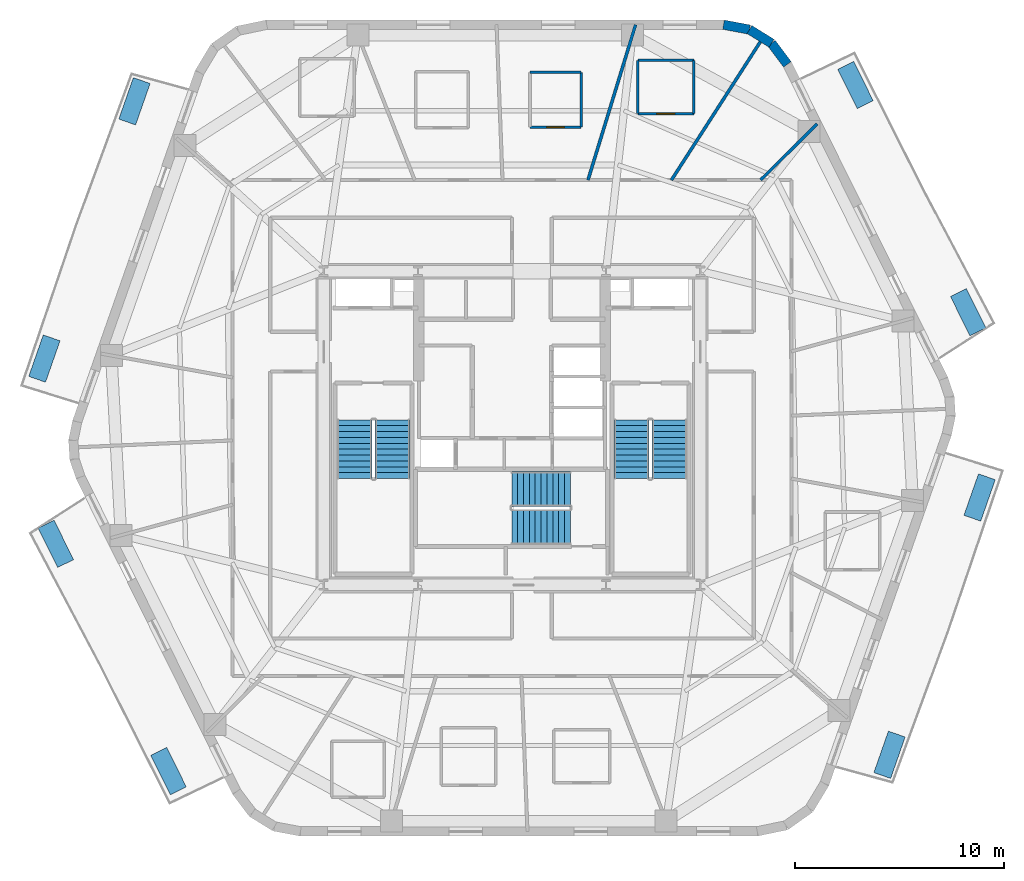
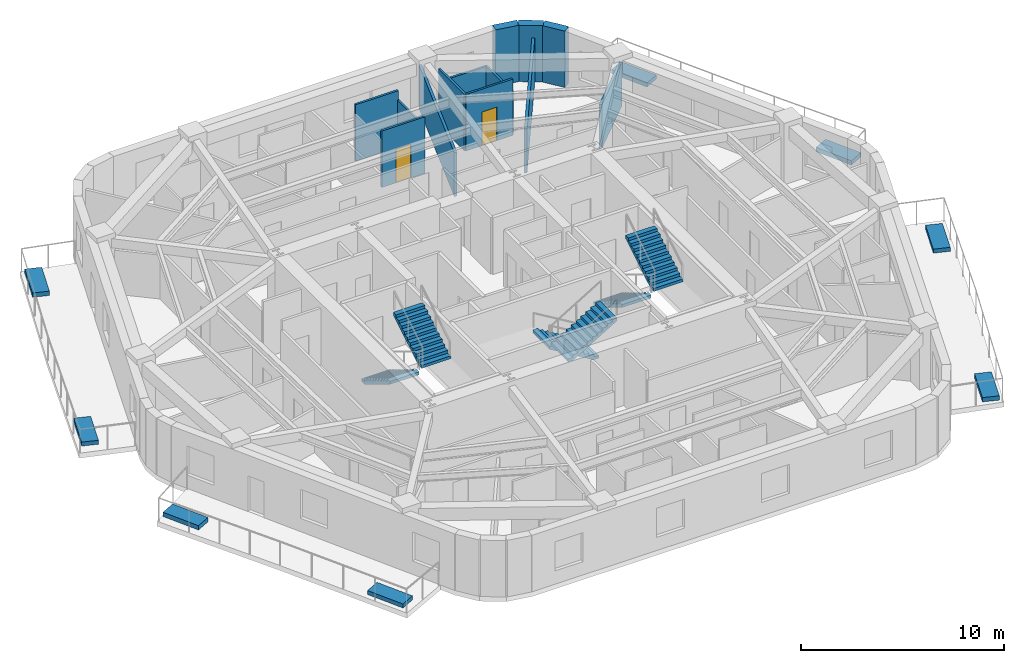
# One storey, part 7 of 10: 13 walls, 8 discrete accessories, 6 stair flights, 2 doors, 2 openings, 3 elements without a shape of their own.
"""IFC4 building model written with IfcOpenShell, lengths in metres."""

from ifc_helpers import new_model, si_unit, direction, frame, frame_2d, origin, origin_2d, place, context, subcontext, project, spatial, polyline, rectangle, outline, extrude, material, layer, layer_set, type_object, element, fill, aggregate, save


model = new_model("IFC4")

# Units and contexts
model_context = context("Model", 3, precision=1e-05, world=origin(), true_north=direction((0.0, 1.0)))
body_context = subcontext(model_context, "Body", "Model", "MODEL_VIEW")
ifc_project = project(units=[si_unit("LENGTHUNIT", "METRE"), si_unit("AREAUNIT", "SQUARE_METRE"), si_unit("VOLUMEUNIT", "CUBIC_METRE"), si_unit("PLANEANGLEUNIT", "RADIAN"), si_unit("MASSUNIT", "GRAM", prefix="KILO")], contexts=[model_context])

# Site, building, storey
site_placement = place(None, origin())
site = spatial("IfcSite", under=ifc_project, at=site_placement, CompositionType="ELEMENT")
building_placement = place(site_placement, origin())
building = spatial("IfcBuilding", under=site, at=building_placement, Name="Kilnhurst Terrace Hotel", CompositionType="ELEMENT")
storey_placement = place(building_placement, frame((0.0, 0.0, 175.60009765625)))
storey = spatial("IfcBuildingStorey", under=building, at=storey_placement, Name="L43", CompositionType="ELEMENT", Elevation=175.60009765625)

# Walls
ifc_material_1 = material(Name="Precast concrete C40/50", Category="concrete")
ifc_layer_1 = layer(ifc_material_1, 0.449951171875, Name="Precast concrete C40/50")
ifc_layer_set_1 = layer_set([ifc_layer_1], Name="Precast concrete C40/50")
wall_type_1 = type_object("IfcWallType", Name="WL-BRK-450", PredefinedType="SOLIDWALL", material=ifc_layer_set_1)
wall_1_placement = place(storey_placement, frame((13.162353515625, 17.380615234375, 0.0), z_axis=(0.0, 0.0, 1.0), x_axis=(-0.601515770517, 0.798860925205, 0.0)))
element("IfcWall", 1, at=wall_1_placement, inside=storey, type_object=wall_type_1, Name="L43 Rounded Corner Brick Wall C4.1", PredefinedType="SOLIDWALL", context=body_context, shape_type="SweptSolid", body=[
    extrude(rectangle(XDim=1.261962890625, YDim=0.449951171875, at=frame_2d((0.630859375, 0.0))), origin(), (0.0, 0.0, 1.0), 3.39990234375),
])
wall_2_placement = place(storey_placement, frame((12.4033203125, 18.388671875, 0.0), z_axis=(0.0, 0.0, 1.0), x_axis=(-0.849795170926, 0.527113049991, 0.0)))
element("IfcWall", 2, at=wall_2_placement, inside=storey, type_object=wall_type_1, Name="L43 Rounded Corner Brick Wall C4.2", PredefinedType="SOLIDWALL", context=body_context, shape_type="SweptSolid", body=[
    extrude(rectangle(XDim=1.24072265625, YDim=0.449951171875, at=frame_2d((0.620361328125, 0.0))), origin(), (0.0, 0.0, 1.0), 3.39990234375),
])
wall_3_placement = place(storey_placement, frame((11.348876953125, 19.042724609375, 0.0), z_axis=(0.0, 0.0, 1.0), x_axis=(-0.982931267051, 0.183973161772, 0.0)))
element("IfcWall", 3, at=wall_3_placement, inside=storey, type_object=wall_type_1, Name="L43 Rounded Corner Brick Wall C4.3", PredefinedType="SOLIDWALL", context=body_context, shape_type="SweptSolid", body=[
    extrude(rectangle(XDim=1.261962890625, YDim=0.449951171875, at=frame_2d((0.630859375, 0.0))), origin(), (0.0, 0.0, 1.0), 3.39990234375),
])
ifc_material_2 = material(Name="STC-58 Acoustic Twin-Frame Guestroom Demising Partition")
ifc_layer_2 = layer(ifc_material_2, 0.14990234375, Name="STC-58 Acoustic Twin-Frame Guestroom Demising Partition")
ifc_layer_set_2 = layer_set([ifc_layer_2], Name="STC-58 Acoustic Twin-Frame Guestroom Demising Partition")
wall_type_2 = type_object("IfcWallType", Name="WL-DEM-150", PredefinedType="PARTITIONING", material=ifc_layer_set_2)
wall_4_placement = place(storey_placement, frame((11.8818359375, 11.85009765625, 0.0), z_axis=(0.0, 0.0, 1.0), x_axis=(0.708037373639, 0.706174962407, 0.0)))
element("IfcWall", 4, at=wall_4_placement, inside=storey, type_object=wall_type_2, Name="L43 Interior Wall WL-L43-DEM-COL02-03-1", PredefinedType="PARTITIONING", context=body_context, shape_type="SweptSolid", body=[
    extrude(rectangle(XDim=3.801513671875, YDim=0.14990234375, at=frame_2d((1.90087890625, 0.0))), origin(), (0.0, 0.0, 1.0), 2.639892578125),
])
wall_5_placement = place(storey_placement, frame((7.619140625, 11.85009765625, 0.0), z_axis=(0.0, 0.0, 1.0), x_axis=(0.540829263478, 0.841132396098, 0.0)))
element("IfcWall", 5, at=wall_5_placement, inside=storey, type_object=wall_type_2, Name="L43 Interior Wall WL-L43-DEM-MID02-04-1", PredefinedType="PARTITIONING", context=body_context, shape_type="SweptSolid", body=[
    extrude(rectangle(XDim=7.919189453125, YDim=0.14990234375, at=frame_2d((3.95947265625, 0.0))), origin(), (0.0, 0.0, 1.0), 2.639892578125),
])
wall_6_placement = place(storey_placement, frame((3.63134765625, 11.85009765625, 0.0), z_axis=(0.0, 0.0, 1.0), x_axis=(0.293007573338, 0.956110120209, 0.0)))
element("IfcWall", 6, at=wall_6_placement, inside=storey, type_object=wall_type_2, Name="L43 Interior Wall WL-L43-DEM-COL03-05-1", PredefinedType="PARTITIONING", context=body_context, shape_type="SweptSolid", body=[
    extrude(rectangle(XDim=7.765625, YDim=0.14990234375, at=frame_2d((3.8828125, 0.0))), origin(), (0.0, 0.0, 1.0), 2.639892578125),
])

# Wall, opening, door
ifc_material_3 = material(Name="120 mm Moisture-Resistant Tile-Backed Bathroom Partition")
ifc_layer_3 = layer(ifc_material_3, 0.1201171875, Name="120 mm Moisture-Resistant Tile-Backed Bathroom Partition")
ifc_layer_set_3 = layer_set([ifc_layer_3], Name="120 mm Moisture-Resistant Tile-Backed Bathroom Partition")
wall_type_3 = type_object("IfcWallType", Name="WL-PART-120", PredefinedType="PARTITIONING", material=ifc_layer_set_3)
wall_7_placement = place(storey_placement, frame((6.013916015625, 15.029052734375, 0.0), z_axis=(0.0, 0.0, 1.0), x_axis=(1.0, 0.0, 0.0)))
wall_7 = element("IfcWall", 7, at=wall_7_placement, inside=storey, type_object=wall_type_3, Name="L43 Interior Wall WL-L43-BTH-04-1", PredefinedType="PARTITIONING", context=body_context, shape_type="SweptSolid", body=[
    extrude(rectangle(XDim=2.68017578125, YDim=0.1201171875, at=frame_2d((1.340087890625, 0.0))), origin(), (0.0, 0.0, 1.0), 3.39990234375),
])
opening_1_placement = place(wall_7_placement, frame((0.9150390625, 0.0, 0.0)))
opening_1 = element("IfcOpeningElement", 8, at=opening_1_placement, cuts=wall_7, Name="Opening D-08A", PredefinedType="OPENING", context=body_context, shape_type="SweptSolid", body=[
    extrude(rectangle(XDim=0.85009765625, YDim=2.030029296875, at=frame_2d((0.425048828125, 1.01513671875))), frame((0.0, 0.070068359375, 0.0), z_axis=(0.0, -1.0, 0.0), x_axis=(1.0, 0.0, 0.0)), (0.0, 0.0, 1.0), 0.14013671875),
])
ifc_material_4 = material(Name="Moisture-Resistant Lacquered En-suite Bathroom Door")
door_type = type_object("IfcDoorType", Name="DR-INT-850", OperationType="NOTDEFINED", PredefinedType="DOOR", material=ifc_material_4)
door_1_placement = place(opening_1_placement, origin())
door_1 = element("IfcDoor", 9, at=door_1_placement, inside=storey, type_object=door_type, Name="L43 En-suite Bathroom Door 4", OperationType="SINGLE_SWING_LEFT", OverallHeight=2.030029296875, OverallWidth=0.85009765625, PredefinedType="DOOR", context=body_context, shape_type="SweptSolid", body=[
    extrude(rectangle(XDim=0.85009765625, YDim=2.030029296875, at=frame_2d((0.425048828125, 1.01513671875))), frame((0.0, 0.02490234375, 0.0), z_axis=(0.0, -1.0, 0.0), x_axis=(1.0, 0.0, 0.0)), (0.0, 0.0, 1.0), 0.050048828125),
])
fill(opening_1, door_1)

# Walls
wall_8_placement = place(storey_placement, frame((8.694091796875, 15.029052734375, 0.0), z_axis=(0.0, 0.0, 1.0), x_axis=(0.0, 1.0, 0.0)))
element("IfcWall", 10, at=wall_8_placement, inside=storey, type_object=wall_type_3, Name="L43 Interior Wall WL-L43-BTH-04-2", PredefinedType="PARTITIONING", context=body_context, shape_type="SweptSolid", body=[
    extrude(rectangle(XDim=2.5400390625, YDim=0.1201171875, at=frame_2d((1.27001953125, 0.0))), origin(), (0.0, 0.0, 1.0), 2.639892578125),
])
wall_9_placement = place(storey_placement, frame((8.694091796875, 17.569091796875, 0.0), z_axis=(0.0, 0.0, 1.0), x_axis=(-1.0, 0.0, 0.0)))
element("IfcWall", 11, at=wall_9_placement, inside=storey, type_object=wall_type_3, Name="L43 Interior Wall WL-L43-BTH-04-3", PredefinedType="PARTITIONING", context=body_context, shape_type="SweptSolid", body=[
    extrude(rectangle(XDim=2.68017578125, YDim=0.1201171875, at=frame_2d((1.340087890625, 0.0))), origin(), (0.0, 0.0, 1.0), 2.639892578125),
])
wall_10_placement = place(storey_placement, frame((6.013916015625, 17.569091796875, 0.0), z_axis=(0.0, 0.0, 1.0), x_axis=(0.0, -1.0, 0.0)))
element("IfcWall", 12, at=wall_10_placement, inside=storey, type_object=wall_type_3, Name="L43 Interior Wall WL-L43-BTH-04-4", PredefinedType="PARTITIONING", context=body_context, shape_type="SweptSolid", body=[
    extrude(rectangle(XDim=2.5400390625, YDim=0.1201171875, at=frame_2d((1.27001953125, 0.0))), origin(), (0.0, 0.0, 1.0), 3.39990234375),
])

# Wall, opening, door
wall_11_placement = place(storey_placement, frame((0.860107421875, 14.383056640625, 0.0), z_axis=(0.0, 0.0, 1.0), x_axis=(1.0, 0.0, 0.0)))
wall_11 = element("IfcWall", 13, at=wall_11_placement, inside=storey, type_object=wall_type_3, Name="L43 Interior Wall WL-L43-BTH-05-1", PredefinedType="PARTITIONING", context=body_context, shape_type="SweptSolid", body=[
    extrude(rectangle(XDim=2.43994140625, YDim=0.1201171875, at=frame_2d((1.219970703125, 0.0))), origin(), (0.0, 0.0, 1.0), 3.39990234375),
])
opening_2_placement = place(wall_11_placement, frame((0.794921875, 0.0, 0.0)))
opening_2 = element("IfcOpeningElement", 14, at=opening_2_placement, cuts=wall_11, Name="Opening D-08A", PredefinedType="OPENING", context=body_context, shape_type="SweptSolid", body=[
    extrude(rectangle(XDim=0.85009765625, YDim=2.030029296875, at=frame_2d((0.425048828125, 1.01513671875))), frame((0.0, 0.070068359375, 0.0), z_axis=(0.0, -1.0, 0.0), x_axis=(1.0, 0.0, 0.0)), (0.0, 0.0, 1.0), 0.14013671875),
])
door_2_placement = place(opening_2_placement, origin())
door_2 = element("IfcDoor", 15, at=door_2_placement, inside=storey, type_object=door_type, Name="L43 En-suite Bathroom Door 5", OperationType="SINGLE_SWING_RIGHT", OverallHeight=2.030029296875, OverallWidth=0.85009765625, PredefinedType="DOOR", context=body_context, shape_type="SweptSolid", body=[
    extrude(rectangle(XDim=0.85009765625, YDim=2.030029296875, at=frame_2d((0.425048828125, 1.01513671875))), frame((0.0, 0.02490234375, 0.0), z_axis=(0.0, -1.0, 0.0), x_axis=(1.0, 0.0, 0.0)), (0.0, 0.0, 1.0), 0.050048828125),
])
fill(opening_2, door_2)

# Walls
wall_12_placement = place(storey_placement, frame((3.300048828125, 14.383056640625, 0.0), z_axis=(0.0, 0.0, 1.0), x_axis=(0.0, 1.0, 0.0)))
element("IfcWall", 16, at=wall_12_placement, inside=storey, type_object=wall_type_3, Name="L43 Interior Wall WL-L43-BTH-05-2", PredefinedType="PARTITIONING", context=body_context, shape_type="SweptSolid", body=[
    extrude(rectangle(XDim=2.60986328125, YDim=0.1201171875, at=frame_2d((1.304931640625, 0.0))), origin(), (0.0, 0.0, 1.0), 2.84033203125),
])
wall_13_placement = place(storey_placement, frame((3.300048828125, 16.992919921875, 0.0), z_axis=(0.0, 0.0, 1.0), x_axis=(-1.0, 0.0, 0.0)))
element("IfcWall", 17, at=wall_13_placement, inside=storey, type_object=wall_type_3, Name="L43 Interior Wall WL-L43-BTH-05-3", PredefinedType="PARTITIONING", context=body_context, shape_type="SweptSolid", body=[
    extrude(rectangle(XDim=2.43994140625, YDim=0.1201171875, at=frame_2d((1.219970703125, 0.0))), origin(), (0.0, 0.0, 1.0), 3.39990234375),
])

# Stair, stair flights
ifc_material_5 = material(Name="Concrete C50/60", Category="concrete")
stair_type = type_object("IfcStairType", Name="STR-CORE-1660", PredefinedType="HALF_TURN_STAIR", material=ifc_material_5)
stair_1_placement = place(storey_placement, origin())
stair_1 = element("IfcStair", 18, at=stair_1_placement, inside=storey, type_object=stair_type, Name="L43 ST-1", PredefinedType="HALF_TURN_STAIR")
stair_flight_type = type_object("IfcStairFlightType", Name="FLT-RC-1660", PredefinedType="STRAIGHT", material=ifc_material_5)
stair_flight_1_placement = place(storey_placement, frame((-7.52001953125, 0.389892578125, 0.0), z_axis=(0.0, 0.0, 1.0), x_axis=(0.0, -1.0, 0.0)))
stair_flight_1 = element("IfcStairFlight", 19, at=stair_flight_1_placement, type_object=stair_flight_type, Name="ST-1 flight 1", NumberOfRisers=11, NumberOfTreads=10, PredefinedType="STRAIGHT", RiserHeight=0.168181818, TreadLength=0.28, context=body_context, shape_type="SweptSolid", body=[
    extrude(outline(polyline([(0.0, 0.0), (0.0, 0.168212890625), (0.280029296875, 0.168212890625), (0.280029296875, 0.33642578125), (0.56005859375, 0.33642578125), (0.56005859375, 0.504638671875), (0.840087890625, 0.504638671875), (0.840087890625, 0.672607421875), (1.1201171875, 0.672607421875), (1.1201171875, 0.8408203125), (1.39990234375, 0.8408203125), (1.39990234375, 1.009033203125), (1.679931640625, 1.009033203125), (1.679931640625, 1.17724609375), (1.9599609375, 1.17724609375), (1.9599609375, 1.345458984375), (2.239990234375, 1.345458984375), (2.239990234375, 1.513671875), (2.52001953125, 1.513671875), (2.52001953125, 1.681884765625), (2.800048828125, 1.681884765625), (2.800048828125, 1.85009765625), (2.800048828125, 1.5068359375), (0.291015625, 0.0), (0.0, 0.0)])), frame((0.0, 0.830078125, 0.0), z_axis=(0.0, -1.0, 0.0), x_axis=(1.0, 0.0, 0.0)), (0.0, 0.0, 1.0), 1.659912109375),
])
stair_flight_2_placement = place(storey_placement, frame((-5.7099609375, -2.409912109375, 1.849853515625), z_axis=(0.0, 0.0, 1.0), x_axis=(0.0, 1.0, 0.0)))
stair_flight_2 = element("IfcStairFlight", 20, at=stair_flight_2_placement, type_object=stair_flight_type, Name="ST-1 flight 2", NumberOfRisers=11, NumberOfTreads=10, PredefinedType="STRAIGHT", RiserHeight=0.168181818, TreadLength=0.28, context=body_context, shape_type="SweptSolid", body=[
    extrude(outline(polyline([(0.0, 0.0), (0.0, 0.168212890625), (0.280029296875, 0.168212890625), (0.280029296875, 0.33642578125), (0.56005859375, 0.33642578125), (0.56005859375, 0.504638671875), (0.840087890625, 0.504638671875), (0.840087890625, 0.672607421875), (1.1201171875, 0.672607421875), (1.1201171875, 0.8408203125), (1.39990234375, 0.8408203125), (1.39990234375, 1.009033203125), (1.679931640625, 1.009033203125), (1.679931640625, 1.17724609375), (1.9599609375, 1.17724609375), (1.9599609375, 1.345458984375), (2.239990234375, 1.345458984375), (2.239990234375, 1.513671875), (2.52001953125, 1.513671875), (2.52001953125, 1.681884765625), (2.800048828125, 1.681884765625), (2.800048828125, 1.85009765625), (2.800048828125, 1.5068359375), (0.291015625, 0.0), (0.0, 0.0)])), frame((0.0, 0.830078125, 0.0), z_axis=(0.0, -1.0, 0.0), x_axis=(1.0, 0.0, 0.0)), (0.0, 0.0, 1.0), 1.659912109375),
])
aggregate(stair_1, [stair_flight_1, stair_flight_2])

stair_2_placement = place(storey_placement, origin())
stair_2 = element("IfcStair", 21, at=stair_2_placement, inside=storey, type_object=stair_type, Name="L43 ST-2", PredefinedType="HALF_TURN_STAIR")
stair_flight_3_placement = place(storey_placement, frame((5.7099609375, 0.389892578125, 0.0), z_axis=(0.0, 0.0, 1.0), x_axis=(0.0, -1.0, 0.0)))
stair_flight_3 = element("IfcStairFlight", 22, at=stair_flight_3_placement, type_object=stair_flight_type, Name="ST-2 flight 1", NumberOfRisers=11, NumberOfTreads=10, PredefinedType="STRAIGHT", RiserHeight=0.168181818, TreadLength=0.28, context=body_context, shape_type="SweptSolid", body=[
    extrude(outline(polyline([(0.0, 0.0), (0.0, 0.168212890625), (0.280029296875, 0.168212890625), (0.280029296875, 0.33642578125), (0.56005859375, 0.33642578125), (0.56005859375, 0.504638671875), (0.840087890625, 0.504638671875), (0.840087890625, 0.672607421875), (1.1201171875, 0.672607421875), (1.1201171875, 0.8408203125), (1.39990234375, 0.8408203125), (1.39990234375, 1.009033203125), (1.679931640625, 1.009033203125), (1.679931640625, 1.17724609375), (1.9599609375, 1.17724609375), (1.9599609375, 1.345458984375), (2.239990234375, 1.345458984375), (2.239990234375, 1.513671875), (2.52001953125, 1.513671875), (2.52001953125, 1.681884765625), (2.800048828125, 1.681884765625), (2.800048828125, 1.85009765625), (2.800048828125, 1.5068359375), (0.291015625, 0.0), (0.0, 0.0)])), frame((0.0, 0.830078125, 0.0), z_axis=(0.0, -1.0, 0.0), x_axis=(1.0, 0.0, 0.0)), (0.0, 0.0, 1.0), 1.659912109375),
])
stair_flight_4_placement = place(storey_placement, frame((7.52001953125, -2.409912109375, 1.849853515625), z_axis=(0.0, 0.0, 1.0), x_axis=(0.0, 1.0, 0.0)))
stair_flight_4 = element("IfcStairFlight", 23, at=stair_flight_4_placement, type_object=stair_flight_type, Name="ST-2 flight 2", NumberOfRisers=11, NumberOfTreads=10, PredefinedType="STRAIGHT", RiserHeight=0.168181818, TreadLength=0.28, context=body_context, shape_type="SweptSolid", body=[
    extrude(outline(polyline([(0.0, 0.0), (0.0, 0.168212890625), (0.280029296875, 0.168212890625), (0.280029296875, 0.33642578125), (0.56005859375, 0.33642578125), (0.56005859375, 0.504638671875), (0.840087890625, 0.504638671875), (0.840087890625, 0.672607421875), (1.1201171875, 0.672607421875), (1.1201171875, 0.8408203125), (1.39990234375, 0.8408203125), (1.39990234375, 1.009033203125), (1.679931640625, 1.009033203125), (1.679931640625, 1.17724609375), (1.9599609375, 1.17724609375), (1.9599609375, 1.345458984375), (2.239990234375, 1.345458984375), (2.239990234375, 1.513671875), (2.52001953125, 1.513671875), (2.52001953125, 1.681884765625), (2.800048828125, 1.681884765625), (2.800048828125, 1.85009765625), (2.800048828125, 1.5068359375), (0.291015625, 0.0), (0.0, 0.0)])), frame((0.0, 0.830078125, 0.0), z_axis=(0.0, -1.0, 0.0), x_axis=(1.0, 0.0, 0.0)), (0.0, 0.0, 1.0), 1.659912109375),
])
aggregate(stair_2, [stair_flight_3, stair_flight_4])

stair_3_placement = place(storey_placement, origin())
stair_3 = element("IfcStair", 24, at=stair_3_placement, inside=storey, type_object=stair_type, Name="L43 ST-3", PredefinedType="HALF_TURN_STAIR")
stair_flight_5_placement = place(storey_placement, frame((2.7900390625, -2.909912109375, 0.0), z_axis=(0.0, 0.0, 1.0), x_axis=(-1.0, 0.0, 0.0)))
stair_flight_5 = element("IfcStairFlight", 25, at=stair_flight_5_placement, type_object=stair_flight_type, Name="ST-3 flight 1", NumberOfRisers=11, NumberOfTreads=10, PredefinedType="STRAIGHT", RiserHeight=0.168181818, TreadLength=0.28, context=body_context, shape_type="SweptSolid", body=[
    extrude(outline(polyline([(0.0, 0.0), (0.0, 0.168212890625), (0.280029296875, 0.168212890625), (0.280029296875, 0.33642578125), (0.56005859375, 0.33642578125), (0.56005859375, 0.504638671875), (0.840087890625, 0.504638671875), (0.840087890625, 0.672607421875), (1.1201171875, 0.672607421875), (1.1201171875, 0.8408203125), (1.39990234375, 0.8408203125), (1.39990234375, 1.009033203125), (1.679931640625, 1.009033203125), (1.679931640625, 1.17724609375), (1.9599609375, 1.17724609375), (1.9599609375, 1.345458984375), (2.239990234375, 1.345458984375), (2.239990234375, 1.513671875), (2.52001953125, 1.513671875), (2.52001953125, 1.681884765625), (2.800048828125, 1.681884765625), (2.800048828125, 1.85009765625), (2.800048828125, 1.5068359375), (0.291015625, 0.0), (0.0, 0.0)])), frame((0.0, 0.830078125, 0.0), z_axis=(0.0, -1.0, 0.0), x_axis=(1.0, 0.0, 0.0)), (0.0, 0.0, 1.0), 1.659912109375),
])
stair_flight_6_placement = place(storey_placement, frame((-0.010009765625, -4.719970703125, 1.849853515625), z_axis=(0.0, 0.0, 1.0), x_axis=(1.0, 0.0, 0.0)))
stair_flight_6 = element("IfcStairFlight", 26, at=stair_flight_6_placement, type_object=stair_flight_type, Name="ST-3 flight 2", NumberOfRisers=11, NumberOfTreads=10, PredefinedType="STRAIGHT", RiserHeight=0.168181818, TreadLength=0.28, context=body_context, shape_type="SweptSolid", body=[
    extrude(outline(polyline([(0.0, 0.0), (0.0, 0.168212890625), (0.280029296875, 0.168212890625), (0.280029296875, 0.33642578125), (0.56005859375, 0.33642578125), (0.56005859375, 0.504638671875), (0.840087890625, 0.504638671875), (0.840087890625, 0.672607421875), (1.1201171875, 0.672607421875), (1.1201171875, 0.8408203125), (1.39990234375, 0.8408203125), (1.39990234375, 1.009033203125), (1.679931640625, 1.009033203125), (1.679931640625, 1.17724609375), (1.9599609375, 1.17724609375), (1.9599609375, 1.345458984375), (2.239990234375, 1.345458984375), (2.239990234375, 1.513671875), (2.52001953125, 1.513671875), (2.52001953125, 1.681884765625), (2.800048828125, 1.681884765625), (2.800048828125, 1.85009765625), (2.800048828125, 1.5068359375), (0.291015625, 0.0), (0.0, 0.0)])), frame((0.0, 0.830078125, 0.0), z_axis=(0.0, -1.0, 0.0), x_axis=(1.0, 0.0, 0.0)), (0.0, 0.0, 1.0), 1.659912109375),
])
aggregate(stair_3, [stair_flight_5, stair_flight_6])

# Discrete accessories
ifc_material_6 = material(Name="Precast Concrete C40/50 Shrub Planter", Category="concrete")
discrete_accessory_type_1 = type_object("IfcDiscreteAccessoryType", Name="PLN-SHRUB-240", PredefinedType="USERDEFINED", material=ifc_material_6)
for number, where, z_axis, x_axis, name in (
    (27, (22.34619140625, -3.319580078125, 0.0), (0.0, 0.0, 1.0), (0.330432029284, 0.943829790811, 0.0), "L43 Structural Tree Planter Box PLANTER BAL-L1A.2"),
    (28, (16.414306640625, 16.393310546875, 0.0), (0.0, 0.0, 1.0), (-0.444244308887, 0.895905683664, 0.0), "L43 Structural Tree Planter Box PLANTER BAL-L1B.2"),
    (29, (-22.34619140625, 3.319580078125, 0.0), (0.0, 0.0, 1.0), (-0.330432029284, -0.943829790811, 0.0), "L43 Structural Tree Planter Box PLANTER BAL-L2A.2"),
    (30, (-16.414306640625, -16.393310546875, 0.0), (0.0, 0.0, 1.0), (0.444244308887, -0.895905683664, 0.0), "L43 Structural Tree Planter Box PLANTER BAL-L2B.2"),
):
    element("IfcDiscreteAccessory", number, at=place(storey_placement, frame(where, z_axis=z_axis, x_axis=x_axis)), inside=storey, type_object=discrete_accessory_type_1, Name=name, ObjectType="PLANTER", PredefinedType="USERDEFINED", context=body_context, shape_type="SweptSolid", body=[
        extrude(rectangle(XDim=2.10009765625, YDim=0.85009765625, at=origin_2d()), origin(), (0.0, 0.0, 1.0), 0.239990234375),
    ])
ifc_material_7 = material(Name="Precast Concrete C40/50 Tree Planter", Category="concrete")
discrete_accessory_type_2 = type_object("IfcDiscreteAccessoryType", Name="PLN-TREE-260", PredefinedType="USERDEFINED", material=ifc_material_7)
for number, where, z_axis, x_axis, name in (
    (31, (18.04150390625, -15.614990234375, 0.0), (0.0, 0.0, 1.0), (0.330432029284, 0.943829790811, 0.0), "L43 Structural Tree Planter Box PLANTER BAL-L1A.1"),
    (32, (21.79833984375, 5.535400390625, 0.0), (0.0, 0.0, 1.0), (-0.444244308887, 0.895905683664, 0.0), "L43 Structural Tree Planter Box PLANTER BAL-L1B.1"),
    (33, (-18.04150390625, 15.614990234375, 0.0), (0.0, 0.0, 1.0), (-0.330432029284, -0.943829790811, 0.0), "L43 Structural Tree Planter Box PLANTER BAL-L2A.1"),
    (34, (-21.79833984375, -5.535400390625, 0.0), (0.0, 0.0, 1.0), (0.444244308887, -0.895905683664, 0.0), "L43 Structural Tree Planter Box PLANTER BAL-L2B.1"),
):
    element("IfcDiscreteAccessory", number, at=place(storey_placement, frame(where, z_axis=z_axis, x_axis=x_axis)), inside=storey, type_object=discrete_accessory_type_2, Name=name, ObjectType="PLANTER", PredefinedType="USERDEFINED", context=body_context, shape_type="SweptSolid", body=[
        extrude(rectangle(XDim=2.10009765625, YDim=0.85009765625, at=origin_2d()), origin(), (0.0, 0.0, 1.0), 0.260009765625),
    ])

save(model, "model.ifc")
